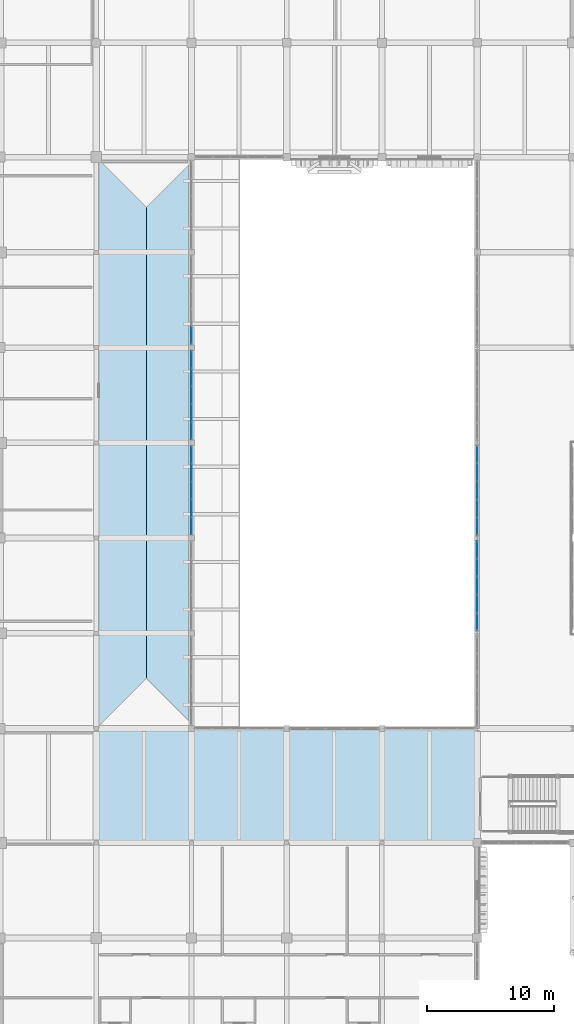
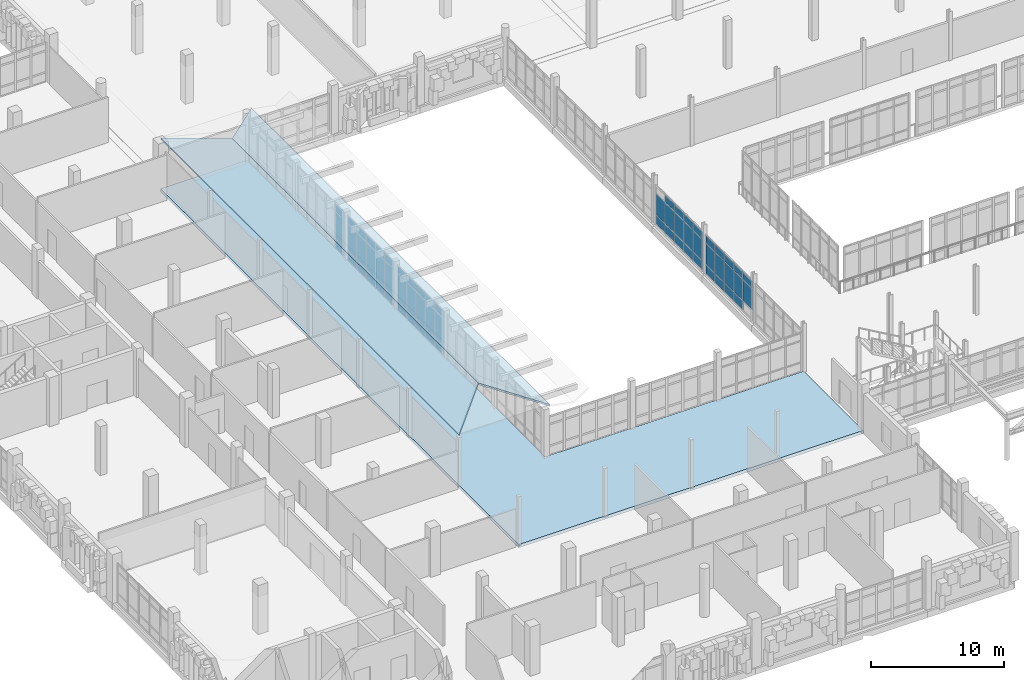
# One storey, part 74 of 128: 61 plates, 3 slabs, 6 elements without a shape of their own.
"""IFC4 building model written with IfcOpenShell, lengths in metres."""

from ifc_helpers import new_model, si_unit, direction, frame, origin, origin_2d, place, context, subcontext, project, spatial, polyline, rectangle, outline, extrude, material, layer, layer_set, type_object, element, aggregate, save


model = new_model("IFC4")

# Units and contexts
model_context = context("Model", 3, precision=1e-05, world=origin(), true_north=direction((0.0, 1.0)))
body_context = subcontext(model_context, "Body", "Model", "MODEL_VIEW")
ifc_project = project(units=[si_unit("LENGTHUNIT", "METRE"), si_unit("AREAUNIT", "SQUARE_METRE"), si_unit("VOLUMEUNIT", "CUBIC_METRE"), si_unit("PLANEANGLEUNIT", "RADIAN"), si_unit("MASSUNIT", "GRAM", prefix="KILO")], contexts=[model_context])

# Site, building, storey
site_placement = place(None, origin())
site = spatial("IfcSite", under=ifc_project, at=site_placement, CompositionType="ELEMENT")
building_placement = place(site_placement, origin())
building = spatial("IfcBuilding", under=site, at=building_placement, Name="Dalvernix Boulevard General Hospital", CompositionType="ELEMENT")
storey_placement = place(building_placement, frame((0.0, 0.0, 4.800048828125)))
storey = spatial("IfcBuildingStorey", under=building, at=storey_placement, Name="L01", CompositionType="ELEMENT", Elevation=4.800048828125)

# Curtain wall, plates
ifc_material_1 = material(Name="Thermally broken aluminium and solar-control glass curtain wall", Category="aluminium")
ifc_layer_1 = layer(ifc_material_1, 0.159912109375)
ifc_layer_set_1 = layer_set([ifc_layer_1], Name="Thermally broken aluminium and solar-control glass curtain wall (CW-CW-A-70x42)")
curtain_wall_type_1 = type_object("IfcCurtainWallType", Name="CW-CW-A-70x42", PredefinedType="USERDEFINED", material=ifc_layer_set_1)
curtain_wall_1_placement = place(storey_placement, origin())
curtain_wall_1 = element("IfcCurtainWall", 1, at=curtain_wall_1_placement, inside=storey, type_object=curtain_wall_type_1, Name="L01 curtain wall CW-A-70x42 5-6", ObjectType="GLAZED FACADE", PredefinedType="USERDEFINED")
ifc_material_2 = material(Name="Double-glazed solar-control low-emissivity glass", Category="glass")
ifc_layer_2 = layer(ifc_material_2, 0.02392578125)
ifc_layer_set_2 = layer_set([ifc_layer_2], Name="Double-glazed solar-control low-emissivity glass (PLT-CW-P1)")
plate_type_1 = type_object("IfcPlateType", Name="PLT-CW-P1", PredefinedType="CURTAIN_PANEL", material=ifc_layer_set_2)
plate_1_placement = place(storey_placement, frame((37.5, 53.047119140625, 0.059814453125), z_axis=(0.0, 0.0, 1.0), x_axis=(0.0, -1.0, 0.0)))
plate_1 = element("IfcPlate", 2, at=plate_1_placement, type_object=plate_type_1, Name="CW-A-70x42 panel 1.1", PredefinedType="CURTAIN_PANEL", context=body_context, shape_type="SweptSolid", body=[
    extrude(rectangle(XDim=1.31591796875, YDim=0.02392578125, at=origin_2d()), origin(), (0.0, 0.0, 1.0), 0.81005859375),
])
plate_2_placement = place(storey_placement, frame((37.5, 53.047119140625, 0.93017578125), z_axis=(0.0, 0.0, 1.0), x_axis=(0.0, -1.0, 0.0)))
plate_2 = element("IfcPlate", 3, at=plate_2_placement, type_object=plate_type_1, Name="CW-A-70x42 panel 1.2", PredefinedType="CURTAIN_PANEL", context=body_context, shape_type="SweptSolid", body=[
    extrude(rectangle(XDim=1.31591796875, YDim=0.02392578125, at=origin_2d()), origin(), (0.0, 0.0, 1.0), 2.469970703125),
])
plate_3_placement = place(storey_placement, frame((37.5, 53.047119140625, 3.4599609375), z_axis=(0.0, 0.0, 1.0), x_axis=(0.0, -1.0, 0.0)))
plate_3 = element("IfcPlate", 4, at=plate_3_placement, type_object=plate_type_1, Name="CW-A-70x42 panel 1.3", PredefinedType="CURTAIN_PANEL", context=body_context, shape_type="SweptSolid", body=[
    extrude(rectangle(XDim=1.31591796875, YDim=0.02392578125, at=origin_2d()), origin(), (0.0, 0.0, 1.0), 0.659912109375),
])
plate_4_placement = place(storey_placement, frame((37.5, 51.656005859375, 0.059814453125), z_axis=(0.0, 0.0, 1.0), x_axis=(0.0, -1.0, 0.0)))
plate_4 = element("IfcPlate", 5, at=plate_4_placement, type_object=plate_type_1, Name="CW-A-70x42 panel 2.1", PredefinedType="CURTAIN_PANEL", context=body_context, shape_type="SweptSolid", body=[
    extrude(rectangle(XDim=1.345947265625, YDim=0.02392578125, at=origin_2d()), origin(), (0.0, 0.0, 1.0), 0.81005859375),
])
plate_5_placement = place(storey_placement, frame((37.5, 51.656005859375, 0.93017578125), z_axis=(0.0, 0.0, 1.0), x_axis=(0.0, -1.0, 0.0)))
plate_5 = element("IfcPlate", 6, at=plate_5_placement, type_object=plate_type_1, Name="CW-A-70x42 panel 2.2", PredefinedType="CURTAIN_PANEL", context=body_context, shape_type="SweptSolid", body=[
    extrude(rectangle(XDim=1.345947265625, YDim=0.02392578125, at=origin_2d()), origin(), (0.0, 0.0, 1.0), 2.469970703125),
])
plate_6_placement = place(storey_placement, frame((37.5, 51.656005859375, 3.4599609375), z_axis=(0.0, 0.0, 1.0), x_axis=(0.0, -1.0, 0.0)))
plate_6 = element("IfcPlate", 7, at=plate_6_placement, type_object=plate_type_1, Name="CW-A-70x42 panel 2.3", PredefinedType="CURTAIN_PANEL", context=body_context, shape_type="SweptSolid", body=[
    extrude(rectangle(XDim=1.345947265625, YDim=0.02392578125, at=origin_2d()), origin(), (0.0, 0.0, 1.0), 0.659912109375),
])
plate_7_placement = place(storey_placement, frame((37.5, 50.25, 0.059814453125), z_axis=(0.0, 0.0, 1.0), x_axis=(0.0, -1.0, 0.0)))
plate_7 = element("IfcPlate", 8, at=plate_7_placement, type_object=plate_type_1, Name="CW-A-70x42 panel 3.1", PredefinedType="CURTAIN_PANEL", context=body_context, shape_type="SweptSolid", body=[
    extrude(rectangle(XDim=1.345947265625, YDim=0.02392578125, at=origin_2d()), origin(), (0.0, 0.0, 1.0), 0.81005859375),
])
plate_8_placement = place(storey_placement, frame((37.5, 50.25, 0.93017578125), z_axis=(0.0, 0.0, 1.0), x_axis=(0.0, -1.0, 0.0)))
plate_8 = element("IfcPlate", 9, at=plate_8_placement, type_object=plate_type_1, Name="CW-A-70x42 panel 3.2", PredefinedType="CURTAIN_PANEL", context=body_context, shape_type="SweptSolid", body=[
    extrude(rectangle(XDim=1.345947265625, YDim=0.02392578125, at=origin_2d()), origin(), (0.0, 0.0, 1.0), 2.469970703125),
])
plate_9_placement = place(storey_placement, frame((37.5, 50.25, 3.4599609375), z_axis=(0.0, 0.0, 1.0), x_axis=(0.0, -1.0, 0.0)))
plate_9 = element("IfcPlate", 10, at=plate_9_placement, type_object=plate_type_1, Name="CW-A-70x42 panel 3.3", PredefinedType="CURTAIN_PANEL", context=body_context, shape_type="SweptSolid", body=[
    extrude(rectangle(XDim=1.345947265625, YDim=0.02392578125, at=origin_2d()), origin(), (0.0, 0.0, 1.0), 0.659912109375),
])
plate_10_placement = place(storey_placement, frame((37.5, 48.843994140625, 0.059814453125), z_axis=(0.0, 0.0, 1.0), x_axis=(0.0, -1.0, 0.0)))
plate_10 = element("IfcPlate", 11, at=plate_10_placement, type_object=plate_type_1, Name="CW-A-70x42 panel 4.1", PredefinedType="CURTAIN_PANEL", context=body_context, shape_type="SweptSolid", body=[
    extrude(rectangle(XDim=1.345947265625, YDim=0.02392578125, at=origin_2d()), origin(), (0.0, 0.0, 1.0), 0.81005859375),
])
plate_11_placement = place(storey_placement, frame((37.5, 48.843994140625, 0.93017578125), z_axis=(0.0, 0.0, 1.0), x_axis=(0.0, -1.0, 0.0)))
plate_11 = element("IfcPlate", 12, at=plate_11_placement, type_object=plate_type_1, Name="CW-A-70x42 panel 4.2", PredefinedType="CURTAIN_PANEL", context=body_context, shape_type="SweptSolid", body=[
    extrude(rectangle(XDim=1.345947265625, YDim=0.02392578125, at=origin_2d()), origin(), (0.0, 0.0, 1.0), 2.469970703125),
])
plate_12_placement = place(storey_placement, frame((37.5, 48.843994140625, 3.4599609375), z_axis=(0.0, 0.0, 1.0), x_axis=(0.0, -1.0, 0.0)))
plate_12 = element("IfcPlate", 13, at=plate_12_placement, type_object=plate_type_1, Name="CW-A-70x42 panel 4.3", PredefinedType="CURTAIN_PANEL", context=body_context, shape_type="SweptSolid", body=[
    extrude(rectangle(XDim=1.345947265625, YDim=0.02392578125, at=origin_2d()), origin(), (0.0, 0.0, 1.0), 0.659912109375),
])
plate_13_placement = place(storey_placement, frame((37.5, 47.452880859375, 0.059814453125), z_axis=(0.0, 0.0, 1.0), x_axis=(0.0, -1.0, 0.0)))
plate_13 = element("IfcPlate", 14, at=plate_13_placement, type_object=plate_type_1, Name="CW-A-70x42 panel 5.1", PredefinedType="CURTAIN_PANEL", context=body_context, shape_type="SweptSolid", body=[
    extrude(rectangle(XDim=1.31591796875, YDim=0.02392578125, at=origin_2d()), origin(), (0.0, 0.0, 1.0), 0.81005859375),
])
plate_14_placement = place(storey_placement, frame((37.5, 47.452880859375, 0.93017578125), z_axis=(0.0, 0.0, 1.0), x_axis=(0.0, -1.0, 0.0)))
plate_14 = element("IfcPlate", 15, at=plate_14_placement, type_object=plate_type_1, Name="CW-A-70x42 panel 5.2", PredefinedType="CURTAIN_PANEL", context=body_context, shape_type="SweptSolid", body=[
    extrude(rectangle(XDim=1.31591796875, YDim=0.02392578125, at=origin_2d()), origin(), (0.0, 0.0, 1.0), 2.469970703125),
])
plate_15_placement = place(storey_placement, frame((37.5, 47.452880859375, 3.4599609375), z_axis=(0.0, 0.0, 1.0), x_axis=(0.0, -1.0, 0.0)))
plate_15 = element("IfcPlate", 16, at=plate_15_placement, type_object=plate_type_1, Name="CW-A-70x42 panel 5.3", PredefinedType="CURTAIN_PANEL", context=body_context, shape_type="SweptSolid", body=[
    extrude(rectangle(XDim=1.31591796875, YDim=0.02392578125, at=origin_2d()), origin(), (0.0, 0.0, 1.0), 0.659912109375),
])
aggregate(curtain_wall_1, [plate_1, plate_2, plate_3, plate_4, plate_5, plate_6, plate_7, plate_8, plate_9, plate_10, plate_11, plate_12, plate_13, plate_14, plate_15])

ifc_layer_3 = layer(ifc_material_1, 0.159912109375)
ifc_layer_set_3 = layer_set([ifc_layer_3], Name="Thermally broken aluminium and solar-control glass curtain wall (CW-CW-A-71x36)")
curtain_wall_type_2 = type_object("IfcCurtainWallType", Name="CW-CW-A-71x36", PredefinedType="USERDEFINED", material=ifc_layer_set_3)
curtain_wall_2_placement = place(storey_placement, origin())
curtain_wall_2 = element("IfcCurtainWall", 17, at=curtain_wall_2_placement, inside=storey, type_object=curtain_wall_type_2, Name="L01 curtain wall CW-A-71x36 8-6", ObjectType="GLAZED FACADE", PredefinedType="USERDEFINED")
plate_16_placement = place(storey_placement, frame((60.0, 47.4169921875, 0.059814453125), z_axis=(0.0, 0.0, 1.0), x_axis=(0.0, 1.0, 0.0)))
plate_16 = element("IfcPlate", 18, at=plate_16_placement, type_object=plate_type_1, Name="CW-A-71x36 panel 1.1", PredefinedType="CURTAIN_PANEL", context=body_context, shape_type="SweptSolid", body=[
    extrude(rectangle(XDim=1.333984375, YDim=0.02392578125, at=origin_2d()), origin(), (0.0, 0.0, 1.0), 0.81005859375),
])
plate_17_placement = place(storey_placement, frame((60.0, 47.4169921875, 0.929931640625), z_axis=(0.0, 0.0, 1.0), x_axis=(0.0, 1.0, 0.0)))
plate_17 = element("IfcPlate", 19, at=plate_17_placement, type_object=plate_type_1, Name="CW-A-71x36 panel 1.2", PredefinedType="CURTAIN_PANEL", context=body_context, shape_type="SweptSolid", body=[
    extrude(rectangle(XDim=1.333984375, YDim=0.02392578125, at=origin_2d()), origin(), (0.0, 0.0, 1.0), 1.919921875),
])
plate_18_placement = place(storey_placement, frame((60.0, 47.4169921875, 2.91015625), z_axis=(0.0, 0.0, 1.0), x_axis=(0.0, 1.0, 0.0)))
plate_18 = element("IfcPlate", 20, at=plate_18_placement, type_object=plate_type_1, Name="CW-A-71x36 panel 1.3", PredefinedType="CURTAIN_PANEL", context=body_context, shape_type="SweptSolid", body=[
    extrude(rectangle(XDim=1.333984375, YDim=0.02392578125, at=origin_2d()), origin(), (0.0, 0.0, 1.0), 0.659912109375),
])
plate_19_placement = place(storey_placement, frame((60.0, 48.825927734375, 0.059814453125), z_axis=(0.0, 0.0, 1.0), x_axis=(0.0, 1.0, 0.0)))
plate_19 = element("IfcPlate", 21, at=plate_19_placement, type_object=plate_type_1, Name="CW-A-71x36 panel 2.1", PredefinedType="CURTAIN_PANEL", context=body_context, shape_type="SweptSolid", body=[
    extrude(rectangle(XDim=1.364013671875, YDim=0.02392578125, at=origin_2d()), origin(), (0.0, 0.0, 1.0), 0.81005859375),
])
plate_20_placement = place(storey_placement, frame((60.0, 48.825927734375, 0.929931640625), z_axis=(0.0, 0.0, 1.0), x_axis=(0.0, 1.0, 0.0)))
plate_20 = element("IfcPlate", 22, at=plate_20_placement, type_object=plate_type_1, Name="CW-A-71x36 panel 2.2", PredefinedType="CURTAIN_PANEL", context=body_context, shape_type="SweptSolid", body=[
    extrude(rectangle(XDim=1.364013671875, YDim=0.02392578125, at=origin_2d()), origin(), (0.0, 0.0, 1.0), 1.919921875),
])
plate_21_placement = place(storey_placement, frame((60.0, 48.825927734375, 2.91015625), z_axis=(0.0, 0.0, 1.0), x_axis=(0.0, 1.0, 0.0)))
plate_21 = element("IfcPlate", 23, at=plate_21_placement, type_object=plate_type_1, Name="CW-A-71x36 panel 2.3", PredefinedType="CURTAIN_PANEL", context=body_context, shape_type="SweptSolid", body=[
    extrude(rectangle(XDim=1.364013671875, YDim=0.02392578125, at=origin_2d()), origin(), (0.0, 0.0, 1.0), 0.659912109375),
])
plate_22_placement = place(storey_placement, frame((60.0, 50.25, 0.059814453125), z_axis=(0.0, 0.0, 1.0), x_axis=(0.0, 1.0, 0.0)))
plate_22 = element("IfcPlate", 24, at=plate_22_placement, type_object=plate_type_1, Name="CW-A-71x36 panel 3.1", PredefinedType="CURTAIN_PANEL", context=body_context, shape_type="SweptSolid", body=[
    extrude(rectangle(XDim=1.364013671875, YDim=0.02392578125, at=origin_2d()), origin(), (0.0, 0.0, 1.0), 0.81005859375),
])
plate_23_placement = place(storey_placement, frame((60.0, 50.25, 0.929931640625), z_axis=(0.0, 0.0, 1.0), x_axis=(0.0, 1.0, 0.0)))
plate_23 = element("IfcPlate", 25, at=plate_23_placement, type_object=plate_type_1, Name="CW-A-71x36 panel 3.2", PredefinedType="CURTAIN_PANEL", context=body_context, shape_type="SweptSolid", body=[
    extrude(rectangle(XDim=1.364013671875, YDim=0.02392578125, at=origin_2d()), origin(), (0.0, 0.0, 1.0), 1.919921875),
])
plate_24_placement = place(storey_placement, frame((60.0, 50.25, 2.91015625), z_axis=(0.0, 0.0, 1.0), x_axis=(0.0, 1.0, 0.0)))
plate_24 = element("IfcPlate", 26, at=plate_24_placement, type_object=plate_type_1, Name="CW-A-71x36 panel 3.3", PredefinedType="CURTAIN_PANEL", context=body_context, shape_type="SweptSolid", body=[
    extrude(rectangle(XDim=1.364013671875, YDim=0.02392578125, at=origin_2d()), origin(), (0.0, 0.0, 1.0), 0.659912109375),
])
plate_25_placement = place(storey_placement, frame((60.0, 51.674072265625, 0.059814453125), z_axis=(0.0, 0.0, 1.0), x_axis=(0.0, 1.0, 0.0)))
plate_25 = element("IfcPlate", 27, at=plate_25_placement, type_object=plate_type_1, Name="CW-A-71x36 panel 4.1", PredefinedType="CURTAIN_PANEL", context=body_context, shape_type="SweptSolid", body=[
    extrude(rectangle(XDim=1.364013671875, YDim=0.02392578125, at=origin_2d()), origin(), (0.0, 0.0, 1.0), 0.81005859375),
])
plate_26_placement = place(storey_placement, frame((60.0, 51.674072265625, 0.929931640625), z_axis=(0.0, 0.0, 1.0), x_axis=(0.0, 1.0, 0.0)))
plate_26 = element("IfcPlate", 28, at=plate_26_placement, type_object=plate_type_1, Name="CW-A-71x36 panel 4.2", PredefinedType="CURTAIN_PANEL", context=body_context, shape_type="SweptSolid", body=[
    extrude(rectangle(XDim=1.364013671875, YDim=0.02392578125, at=origin_2d()), origin(), (0.0, 0.0, 1.0), 1.919921875),
])
plate_27_placement = place(storey_placement, frame((60.0, 51.674072265625, 2.91015625), z_axis=(0.0, 0.0, 1.0), x_axis=(0.0, 1.0, 0.0)))
plate_27 = element("IfcPlate", 29, at=plate_27_placement, type_object=plate_type_1, Name="CW-A-71x36 panel 4.3", PredefinedType="CURTAIN_PANEL", context=body_context, shape_type="SweptSolid", body=[
    extrude(rectangle(XDim=1.364013671875, YDim=0.02392578125, at=origin_2d()), origin(), (0.0, 0.0, 1.0), 0.659912109375),
])
plate_28_placement = place(storey_placement, frame((60.0, 53.0830078125, 0.059814453125), z_axis=(0.0, 0.0, 1.0), x_axis=(0.0, 1.0, 0.0)))
plate_28 = element("IfcPlate", 30, at=plate_28_placement, type_object=plate_type_1, Name="CW-A-71x36 panel 5.1", PredefinedType="CURTAIN_PANEL", context=body_context, shape_type="SweptSolid", body=[
    extrude(rectangle(XDim=1.333984375, YDim=0.02392578125, at=origin_2d()), origin(), (0.0, 0.0, 1.0), 0.81005859375),
])
plate_29_placement = place(storey_placement, frame((60.0, 53.0830078125, 0.929931640625), z_axis=(0.0, 0.0, 1.0), x_axis=(0.0, 1.0, 0.0)))
plate_29 = element("IfcPlate", 31, at=plate_29_placement, type_object=plate_type_1, Name="CW-A-71x36 panel 5.2", PredefinedType="CURTAIN_PANEL", context=body_context, shape_type="SweptSolid", body=[
    extrude(rectangle(XDim=1.333984375, YDim=0.02392578125, at=origin_2d()), origin(), (0.0, 0.0, 1.0), 1.919921875),
])
aggregate(curtain_wall_2, [plate_16, plate_17, plate_18, plate_19, plate_20, plate_21, plate_22, plate_23, plate_24, plate_25, plate_26, plate_27, plate_28, plate_29])

ifc_layer_4 = layer(ifc_material_1, 0.179931640625)
ifc_layer_set_4 = layer_set([ifc_layer_4], Name="Thermally broken aluminium and solar-control glass curtain wall (CW-CW-B-70x42)")
curtain_wall_type_3 = type_object("IfcCurtainWallType", Name="CW-CW-B-70x42", PredefinedType="USERDEFINED", material=ifc_layer_set_4)
curtain_wall_3_placement = place(storey_placement, origin())
curtain_wall_3 = element("IfcCurtainWall", 32, at=curtain_wall_3_placement, inside=storey, type_object=curtain_wall_type_3, Name="L01 curtain wall CW-B-70x42 5-7", ObjectType="GLAZED FACADE", PredefinedType="USERDEFINED")
ifc_layer_5 = layer(ifc_material_2, 0.028076171875)
ifc_layer_set_5 = layer_set([ifc_layer_5], Name="Double-glazed solar-control low-emissivity glass (PLT-CW-P2)")
plate_type_2 = type_object("IfcPlateType", Name="PLT-CW-P2", PredefinedType="CURTAIN_PANEL", material=ifc_layer_set_5)
plate_30_placement = place(storey_placement, frame((37.5, 60.545654296875, 0.06494140625), z_axis=(0.0, 0.0, 1.0), x_axis=(0.0, -1.0, 0.0)))
plate_30 = element("IfcPlate", 33, at=plate_30_placement, type_object=plate_type_2, Name="CW-B-70x42 panel 1.1", PredefinedType="CURTAIN_PANEL", context=body_context, shape_type="SweptSolid", body=[
    extrude(rectangle(XDim=1.30859375, YDim=0.028076171875, at=origin_2d()), origin(), (0.0, 0.0, 1.0), 0.802490234375),
])
plate_31_placement = place(storey_placement, frame((37.5, 60.545654296875, 0.9326171875), z_axis=(0.0, 0.0, 1.0), x_axis=(0.0, -1.0, 0.0)))
plate_31 = element("IfcPlate", 34, at=plate_31_placement, type_object=plate_type_2, Name="CW-B-70x42 panel 1.2", PredefinedType="CURTAIN_PANEL", context=body_context, shape_type="SweptSolid", body=[
    extrude(rectangle(XDim=1.30859375, YDim=0.028076171875, at=origin_2d()), origin(), (0.0, 0.0, 1.0), 2.465087890625),
])
plate_32_placement = place(storey_placement, frame((37.5, 60.545654296875, 3.46240234375), z_axis=(0.0, 0.0, 1.0), x_axis=(0.0, -1.0, 0.0)))
plate_32 = element("IfcPlate", 35, at=plate_32_placement, type_object=plate_type_2, Name="CW-B-70x42 panel 1.3", PredefinedType="CURTAIN_PANEL", context=body_context, shape_type="SweptSolid", body=[
    extrude(rectangle(XDim=1.30859375, YDim=0.028076171875, at=origin_2d()), origin(), (0.0, 0.0, 1.0), 0.652587890625),
])
plate_33_placement = place(storey_placement, frame((37.5, 59.156005859375, 0.06494140625), z_axis=(0.0, 0.0, 1.0), x_axis=(0.0, -1.0, 0.0)))
plate_33 = element("IfcPlate", 36, at=plate_33_placement, type_object=plate_type_2, Name="CW-B-70x42 panel 2.1", PredefinedType="CURTAIN_PANEL", context=body_context, shape_type="SweptSolid", body=[
    extrude(rectangle(XDim=1.341064453125, YDim=0.028076171875, at=origin_2d()), origin(), (0.0, 0.0, 1.0), 0.802490234375),
])
plate_34_placement = place(storey_placement, frame((37.5, 59.156005859375, 0.9326171875), z_axis=(0.0, 0.0, 1.0), x_axis=(0.0, -1.0, 0.0)))
plate_34 = element("IfcPlate", 37, at=plate_34_placement, type_object=plate_type_2, Name="CW-B-70x42 panel 2.2", PredefinedType="CURTAIN_PANEL", context=body_context, shape_type="SweptSolid", body=[
    extrude(rectangle(XDim=1.341064453125, YDim=0.028076171875, at=origin_2d()), origin(), (0.0, 0.0, 1.0), 2.465087890625),
])
plate_35_placement = place(storey_placement, frame((37.5, 59.156005859375, 3.46240234375), z_axis=(0.0, 0.0, 1.0), x_axis=(0.0, -1.0, 0.0)))
plate_35 = element("IfcPlate", 38, at=plate_35_placement, type_object=plate_type_2, Name="CW-B-70x42 panel 2.3", PredefinedType="CURTAIN_PANEL", context=body_context, shape_type="SweptSolid", body=[
    extrude(rectangle(XDim=1.341064453125, YDim=0.028076171875, at=origin_2d()), origin(), (0.0, 0.0, 1.0), 0.652587890625),
])
plate_36_placement = place(storey_placement, frame((37.5, 57.75, 0.06494140625), z_axis=(0.0, 0.0, 1.0), x_axis=(0.0, -1.0, 0.0)))
plate_36 = element("IfcPlate", 39, at=plate_36_placement, type_object=plate_type_2, Name="CW-B-70x42 panel 3.1", PredefinedType="CURTAIN_PANEL", context=body_context, shape_type="SweptSolid", body=[
    extrude(rectangle(XDim=1.341064453125, YDim=0.028076171875, at=origin_2d()), origin(), (0.0, 0.0, 1.0), 0.802490234375),
])
plate_37_placement = place(storey_placement, frame((37.5, 57.75, 0.9326171875), z_axis=(0.0, 0.0, 1.0), x_axis=(0.0, -1.0, 0.0)))
plate_37 = element("IfcPlate", 40, at=plate_37_placement, type_object=plate_type_2, Name="CW-B-70x42 panel 3.2", PredefinedType="CURTAIN_PANEL", context=body_context, shape_type="SweptSolid", body=[
    extrude(rectangle(XDim=1.341064453125, YDim=0.028076171875, at=origin_2d()), origin(), (0.0, 0.0, 1.0), 2.465087890625),
])
plate_38_placement = place(storey_placement, frame((37.5, 57.75, 3.46240234375), z_axis=(0.0, 0.0, 1.0), x_axis=(0.0, -1.0, 0.0)))
plate_38 = element("IfcPlate", 41, at=plate_38_placement, type_object=plate_type_2, Name="CW-B-70x42 panel 3.3", PredefinedType="CURTAIN_PANEL", context=body_context, shape_type="SweptSolid", body=[
    extrude(rectangle(XDim=1.341064453125, YDim=0.028076171875, at=origin_2d()), origin(), (0.0, 0.0, 1.0), 0.652587890625),
])
plate_39_placement = place(storey_placement, frame((37.5, 56.343994140625, 0.06494140625), z_axis=(0.0, 0.0, 1.0), x_axis=(0.0, -1.0, 0.0)))
plate_39 = element("IfcPlate", 42, at=plate_39_placement, type_object=plate_type_2, Name="CW-B-70x42 panel 4.1", PredefinedType="CURTAIN_PANEL", context=body_context, shape_type="SweptSolid", body=[
    extrude(rectangle(XDim=1.341064453125, YDim=0.028076171875, at=origin_2d()), origin(), (0.0, 0.0, 1.0), 0.802490234375),
])
plate_40_placement = place(storey_placement, frame((37.5, 56.343994140625, 0.9326171875), z_axis=(0.0, 0.0, 1.0), x_axis=(0.0, -1.0, 0.0)))
plate_40 = element("IfcPlate", 43, at=plate_40_placement, type_object=plate_type_2, Name="CW-B-70x42 panel 4.2", PredefinedType="CURTAIN_PANEL", context=body_context, shape_type="SweptSolid", body=[
    extrude(rectangle(XDim=1.341064453125, YDim=0.028076171875, at=origin_2d()), origin(), (0.0, 0.0, 1.0), 2.465087890625),
])
plate_41_placement = place(storey_placement, frame((37.5, 56.343994140625, 3.46240234375), z_axis=(0.0, 0.0, 1.0), x_axis=(0.0, -1.0, 0.0)))
plate_41 = element("IfcPlate", 44, at=plate_41_placement, type_object=plate_type_2, Name="CW-B-70x42 panel 4.3", PredefinedType="CURTAIN_PANEL", context=body_context, shape_type="SweptSolid", body=[
    extrude(rectangle(XDim=1.341064453125, YDim=0.028076171875, at=origin_2d()), origin(), (0.0, 0.0, 1.0), 0.652587890625),
])
plate_42_placement = place(storey_placement, frame((37.5, 54.954345703125, 0.06494140625), z_axis=(0.0, 0.0, 1.0), x_axis=(0.0, -1.0, 0.0)))
plate_42 = element("IfcPlate", 45, at=plate_42_placement, type_object=plate_type_2, Name="CW-B-70x42 panel 5.1", PredefinedType="CURTAIN_PANEL", context=body_context, shape_type="SweptSolid", body=[
    extrude(rectangle(XDim=1.30859375, YDim=0.028076171875, at=origin_2d()), origin(), (0.0, 0.0, 1.0), 0.802490234375),
])
plate_43_placement = place(storey_placement, frame((37.5, 54.954345703125, 0.9326171875), z_axis=(0.0, 0.0, 1.0), x_axis=(0.0, -1.0, 0.0)))
plate_43 = element("IfcPlate", 46, at=plate_43_placement, type_object=plate_type_2, Name="CW-B-70x42 panel 5.2", PredefinedType="CURTAIN_PANEL", context=body_context, shape_type="SweptSolid", body=[
    extrude(rectangle(XDim=1.30859375, YDim=0.028076171875, at=origin_2d()), origin(), (0.0, 0.0, 1.0), 2.465087890625),
])
plate_44_placement = place(storey_placement, frame((37.5, 54.954345703125, 3.46240234375), z_axis=(0.0, 0.0, 1.0), x_axis=(0.0, -1.0, 0.0)))
plate_44 = element("IfcPlate", 47, at=plate_44_placement, type_object=plate_type_2, Name="CW-B-70x42 panel 5.3", PredefinedType="CURTAIN_PANEL", context=body_context, shape_type="SweptSolid", body=[
    extrude(rectangle(XDim=1.30859375, YDim=0.028076171875, at=origin_2d()), origin(), (0.0, 0.0, 1.0), 0.652587890625),
])
aggregate(curtain_wall_3, [plate_30, plate_31, plate_32, plate_33, plate_34, plate_35, plate_36, plate_37, plate_38, plate_39, plate_40, plate_41, plate_42, plate_43, plate_44])

ifc_layer_6 = layer(ifc_material_1, 0.199951171875)
ifc_layer_set_6 = layer_set([ifc_layer_6], Name="Thermally broken aluminium and solar-control glass curtain wall (CW-CW-C-70x42)")
curtain_wall_type_4 = type_object("IfcCurtainWallType", Name="CW-CW-C-70x42", PredefinedType="USERDEFINED", material=ifc_layer_set_6)
curtain_wall_4_placement = place(storey_placement, origin())
curtain_wall_4 = element("IfcCurtainWall", 48, at=curtain_wall_4_placement, inside=storey, type_object=curtain_wall_type_4, Name="L01 curtain wall CW-C-70x42 5-8", ObjectType="GLAZED FACADE", PredefinedType="USERDEFINED")
ifc_layer_7 = layer(ifc_material_2, 0.035888671875)
ifc_layer_set_7 = layer_set([ifc_layer_7], Name="Double-glazed solar-control low-emissivity glass (PLT-CW-P3)")
plate_type_3 = type_object("IfcPlateType", Name="PLT-CW-P3", PredefinedType="CURTAIN_PANEL", material=ifc_layer_set_7)
plate_45_placement = place(storey_placement, frame((37.5, 62.45556640625, 0.070068359375), z_axis=(0.0, 0.0, 1.0), x_axis=(0.0, -1.0, 0.0)))
plate_45 = element("IfcPlate", 49, at=plate_45_placement, type_object=plate_type_3, Name="CW-C-70x42 panel 5.1", PredefinedType="CURTAIN_PANEL", context=body_context, shape_type="SweptSolid", body=[
    extrude(rectangle(XDim=1.301025390625, YDim=0.035888671875, at=origin_2d()), origin(), (0.0, 0.0, 1.0), 0.794921875),
])
plate_46_placement = place(storey_placement, frame((37.5, 62.45556640625, 0.93505859375), z_axis=(0.0, 0.0, 1.0), x_axis=(0.0, -1.0, 0.0)))
plate_46 = element("IfcPlate", 50, at=plate_46_placement, type_object=plate_type_3, Name="CW-C-70x42 panel 5.2", PredefinedType="CURTAIN_PANEL", context=body_context, shape_type="SweptSolid", body=[
    extrude(rectangle(XDim=1.301025390625, YDim=0.035888671875, at=origin_2d()), origin(), (0.0, 0.0, 1.0), 2.4599609375),
])
plate_47_placement = place(storey_placement, frame((37.5, 62.45556640625, 3.46484375), z_axis=(0.0, 0.0, 1.0), x_axis=(0.0, -1.0, 0.0)))
plate_47 = element("IfcPlate", 51, at=plate_47_placement, type_object=plate_type_3, Name="CW-C-70x42 panel 5.3", PredefinedType="CURTAIN_PANEL", context=body_context, shape_type="SweptSolid", body=[
    extrude(rectangle(XDim=1.301025390625, YDim=0.035888671875, at=origin_2d()), origin(), (0.0, 0.0, 1.0), 0.64501953125),
])
aggregate(curtain_wall_4, [plate_45, plate_46, plate_47])

ifc_layer_8 = layer(ifc_material_1, 0.199951171875)
ifc_layer_set_8 = layer_set([ifc_layer_8], Name="Thermally broken aluminium and solar-control glass curtain wall (CW-CW-C-71x36)")
curtain_wall_type_5 = type_object("IfcCurtainWallType", Name="CW-CW-C-71x36", PredefinedType="USERDEFINED", material=ifc_layer_set_8)
curtain_wall_5_placement = place(storey_placement, origin())
curtain_wall_5 = element("IfcCurtainWall", 52, at=curtain_wall_5_placement, inside=storey, type_object=curtain_wall_type_5, Name="L01 curtain wall CW-C-71x36 8-5", ObjectType="GLAZED FACADE", PredefinedType="USERDEFINED")
plate_48_placement = place(storey_placement, frame((60.0, 39.91943359375, 0.93505859375), z_axis=(0.0, 0.0, 1.0), x_axis=(0.0, 1.0, 0.0)))
plate_48 = element("IfcPlate", 53, at=plate_48_placement, type_object=plate_type_3, Name="CW-C-71x36 panel 1.2", PredefinedType="CURTAIN_PANEL", context=body_context, shape_type="SweptSolid", body=[
    extrude(rectangle(XDim=1.319091796875, YDim=0.035888671875, at=origin_2d()), origin(), (0.0, 0.0, 1.0), 1.909912109375),
])
plate_49_placement = place(storey_placement, frame((60.0, 39.91943359375, 2.9150390625), z_axis=(0.0, 0.0, 1.0), x_axis=(0.0, 1.0, 0.0)))
plate_49 = element("IfcPlate", 54, at=plate_49_placement, type_object=plate_type_3, Name="CW-C-71x36 panel 1.3", PredefinedType="CURTAIN_PANEL", context=body_context, shape_type="SweptSolid", body=[
    extrude(rectangle(XDim=1.319091796875, YDim=0.035888671875, at=origin_2d()), origin(), (0.0, 0.0, 1.0), 0.64501953125),
])
plate_50_placement = place(storey_placement, frame((60.0, 41.325927734375, 0.070068359375), z_axis=(0.0, 0.0, 1.0), x_axis=(0.0, 1.0, 0.0)))
plate_50 = element("IfcPlate", 55, at=plate_50_placement, type_object=plate_type_3, Name="CW-C-71x36 panel 2.1", PredefinedType="CURTAIN_PANEL", context=body_context, shape_type="SweptSolid", body=[
    extrude(rectangle(XDim=1.35400390625, YDim=0.035888671875, at=origin_2d()), origin(), (0.0, 0.0, 1.0), 0.794921875),
])
plate_51_placement = place(storey_placement, frame((60.0, 41.325927734375, 0.93505859375), z_axis=(0.0, 0.0, 1.0), x_axis=(0.0, 1.0, 0.0)))
plate_51 = element("IfcPlate", 56, at=plate_51_placement, type_object=plate_type_3, Name="CW-C-71x36 panel 2.2", PredefinedType="CURTAIN_PANEL", context=body_context, shape_type="SweptSolid", body=[
    extrude(rectangle(XDim=1.35400390625, YDim=0.035888671875, at=origin_2d()), origin(), (0.0, 0.0, 1.0), 1.909912109375),
])
plate_52_placement = place(storey_placement, frame((60.0, 41.325927734375, 2.9150390625), z_axis=(0.0, 0.0, 1.0), x_axis=(0.0, 1.0, 0.0)))
plate_52 = element("IfcPlate", 57, at=plate_52_placement, type_object=plate_type_3, Name="CW-C-71x36 panel 2.3", PredefinedType="CURTAIN_PANEL", context=body_context, shape_type="SweptSolid", body=[
    extrude(rectangle(XDim=1.35400390625, YDim=0.035888671875, at=origin_2d()), origin(), (0.0, 0.0, 1.0), 0.64501953125),
])
plate_53_placement = place(storey_placement, frame((60.0, 42.75, 0.070068359375), z_axis=(0.0, 0.0, 1.0), x_axis=(0.0, 1.0, 0.0)))
plate_53 = element("IfcPlate", 58, at=plate_53_placement, type_object=plate_type_3, Name="CW-C-71x36 panel 3.1", PredefinedType="CURTAIN_PANEL", context=body_context, shape_type="SweptSolid", body=[
    extrude(rectangle(XDim=1.35400390625, YDim=0.035888671875, at=origin_2d()), origin(), (0.0, 0.0, 1.0), 0.794921875),
])
plate_54_placement = place(storey_placement, frame((60.0, 42.75, 0.93505859375), z_axis=(0.0, 0.0, 1.0), x_axis=(0.0, 1.0, 0.0)))
plate_54 = element("IfcPlate", 59, at=plate_54_placement, type_object=plate_type_3, Name="CW-C-71x36 panel 3.2", PredefinedType="CURTAIN_PANEL", context=body_context, shape_type="SweptSolid", body=[
    extrude(rectangle(XDim=1.35400390625, YDim=0.035888671875, at=origin_2d()), origin(), (0.0, 0.0, 1.0), 1.909912109375),
])
plate_55_placement = place(storey_placement, frame((60.0, 42.75, 2.9150390625), z_axis=(0.0, 0.0, 1.0), x_axis=(0.0, 1.0, 0.0)))
plate_55 = element("IfcPlate", 60, at=plate_55_placement, type_object=plate_type_3, Name="CW-C-71x36 panel 3.3", PredefinedType="CURTAIN_PANEL", context=body_context, shape_type="SweptSolid", body=[
    extrude(rectangle(XDim=1.35400390625, YDim=0.035888671875, at=origin_2d()), origin(), (0.0, 0.0, 1.0), 0.64501953125),
])
plate_56_placement = place(storey_placement, frame((60.0, 44.174072265625, 0.070068359375), z_axis=(0.0, 0.0, 1.0), x_axis=(0.0, 1.0, 0.0)))
plate_56 = element("IfcPlate", 61, at=plate_56_placement, type_object=plate_type_3, Name="CW-C-71x36 panel 4.1", PredefinedType="CURTAIN_PANEL", context=body_context, shape_type="SweptSolid", body=[
    extrude(rectangle(XDim=1.35400390625, YDim=0.035888671875, at=origin_2d()), origin(), (0.0, 0.0, 1.0), 0.794921875),
])
plate_57_placement = place(storey_placement, frame((60.0, 44.174072265625, 0.93505859375), z_axis=(0.0, 0.0, 1.0), x_axis=(0.0, 1.0, 0.0)))
plate_57 = element("IfcPlate", 62, at=plate_57_placement, type_object=plate_type_3, Name="CW-C-71x36 panel 4.2", PredefinedType="CURTAIN_PANEL", context=body_context, shape_type="SweptSolid", body=[
    extrude(rectangle(XDim=1.35400390625, YDim=0.035888671875, at=origin_2d()), origin(), (0.0, 0.0, 1.0), 1.909912109375),
])
plate_58_placement = place(storey_placement, frame((60.0, 44.174072265625, 2.9150390625), z_axis=(0.0, 0.0, 1.0), x_axis=(0.0, 1.0, 0.0)))
plate_58 = element("IfcPlate", 63, at=plate_58_placement, type_object=plate_type_3, Name="CW-C-71x36 panel 4.3", PredefinedType="CURTAIN_PANEL", context=body_context, shape_type="SweptSolid", body=[
    extrude(rectangle(XDim=1.35400390625, YDim=0.035888671875, at=origin_2d()), origin(), (0.0, 0.0, 1.0), 0.64501953125),
])
plate_59_placement = place(storey_placement, frame((60.0, 45.58056640625, 0.070068359375), z_axis=(0.0, 0.0, 1.0), x_axis=(0.0, 1.0, 0.0)))
plate_59 = element("IfcPlate", 64, at=plate_59_placement, type_object=plate_type_3, Name="CW-C-71x36 panel 5.1", PredefinedType="CURTAIN_PANEL", context=body_context, shape_type="SweptSolid", body=[
    extrude(rectangle(XDim=1.319091796875, YDim=0.035888671875, at=origin_2d()), origin(), (0.0, 0.0, 1.0), 0.794921875),
])
plate_60_placement = place(storey_placement, frame((60.0, 45.58056640625, 0.93505859375), z_axis=(0.0, 0.0, 1.0), x_axis=(0.0, 1.0, 0.0)))
plate_60 = element("IfcPlate", 65, at=plate_60_placement, type_object=plate_type_3, Name="CW-C-71x36 panel 5.2", PredefinedType="CURTAIN_PANEL", context=body_context, shape_type="SweptSolid", body=[
    extrude(rectangle(XDim=1.319091796875, YDim=0.035888671875, at=origin_2d()), origin(), (0.0, 0.0, 1.0), 1.909912109375),
])
plate_61_placement = place(storey_placement, frame((60.0, 45.58056640625, 2.9150390625), z_axis=(0.0, 0.0, 1.0), x_axis=(0.0, 1.0, 0.0)))
plate_61 = element("IfcPlate", 66, at=plate_61_placement, type_object=plate_type_3, Name="CW-C-71x36 panel 5.3", PredefinedType="CURTAIN_PANEL", context=body_context, shape_type="SweptSolid", body=[
    extrude(rectangle(XDim=1.319091796875, YDim=0.035888671875, at=origin_2d()), origin(), (0.0, 0.0, 1.0), 0.64501953125),
])
aggregate(curtain_wall_5, [plate_48, plate_49, plate_50, plate_51, plate_52, plate_53, plate_54, plate_55, plate_56, plate_57, plate_58, plate_59, plate_60, plate_61])

# Slab
ifc_material_3 = material(Name="Concrete C35/45", Category="concrete")
ifc_layer_9 = layer(ifc_material_3, 0.300048828125)
ifc_layer_set_9 = layer_set([ifc_layer_9], Name="Concrete C35/45 (SLB-FS-03)")
slab_type_1 = type_object("IfcSlabType", Name="SLB-FS-03", PredefinedType="FLOOR", material=ifc_layer_set_9)
slab_1_placement = place(storey_placement, frame((0.0, 0.0, -0.300048828125)))
element("IfcSlab", 67, at=slab_1_placement, inside=storey, type_object=slab_type_1, Name="L01 V6 structural floor slab 1", PredefinedType="FLOOR", context=body_context, shape_type="SweptSolid", body=[
    extrude(outline(polyline([(30.0, 46.5), (30.0, 54.0), (30.0, 61.5), (30.0, 69.0), (30.0, 76.5), (37.5, 76.5), (37.5, 69.0), (37.5, 61.5), (37.5, 54.0), (37.5, 46.5), (37.5, 39.0), (37.5, 31.5), (45.0, 31.5), (52.5, 31.5), (60.0, 31.5), (60.0, 22.5), (52.5, 22.5), (45.0, 22.5), (37.5, 22.5), (30.0, 22.5), (30.0, 31.5), (30.0, 39.0), (30.0, 46.5)])), origin(), (0.0, 0.0, 1.0), 0.300048828125),
])

# Roof, slabs
ifc_material_4 = material(Name="Polychrome Catalan glazed terracotta tile roof system", Category="masonry")
roof_type = type_object("IfcRoofType", Name="ROOF-HIP-01", PredefinedType="HIP_ROOF", material=ifc_material_4)
roof_placement = place(storey_placement, origin())
roof = element("IfcRoof", 68, at=roof_placement, inside=storey, type_object=roof_type, Name="V6W Hipped Ceramic Roof", PredefinedType="HIP_ROOF")
ifc_material_5 = material(Name="Glulam GL28h", Category="wood")
ifc_layer_10 = layer(ifc_material_5, 0.159912109375)
ifc_layer_set_10 = layer_set([ifc_layer_10], Name="Glulam GL28h (SLB-RS-04)")
slab_type_2 = type_object("IfcSlabType", Name="SLB-RS-04", PredefinedType="ROOF", material=ifc_layer_set_10)
slab_2_placement = place(storey_placement, frame((30.0, 76.5, 4.664794921875), z_axis=(-0.238536653022, 0.0, 0.971133495028), x_axis=(0.0, -1.0, 0.0)))
slab_2 = element("IfcSlab", 69, at=slab_2_placement, type_object=slab_type_2, Name="V6W hipped roof slab W", PredefinedType="ROOF", context=body_context, shape_type="SweptSolid", body=[
    extrude(outline(polyline([(0.0, 0.0), (45.0, 0.0), (41.050048828125, 4.06736168827282), (3.949951171875, 4.06736168827282), (0.0, 0.0)])), origin(), (0.0, 0.0, -1.0), 0.159912109375),
])
slab_3_placement = place(storey_placement, frame((37.89990234375, 31.5, 4.664794921875), z_axis=(0.238536653022, 0.0, 0.971133495028), x_axis=(0.0, 1.0, 0.0)))
slab_3 = element("IfcSlab", 70, at=slab_3_placement, type_object=slab_type_2, Name="V6W hipped roof slab E", PredefinedType="ROOF", context=body_context, shape_type="SweptSolid", body=[
    extrude(outline(polyline([(0.0, 0.0), (45.0, 0.0), (41.050048828125, 4.06736168827282), (3.949951171875, 4.06736168827282), (0.0, 0.0)])), origin(), (0.0, 0.0, -1.0), 0.159912109375),
])
aggregate(roof, [slab_2, slab_3])

save(model, "model.ifc")
